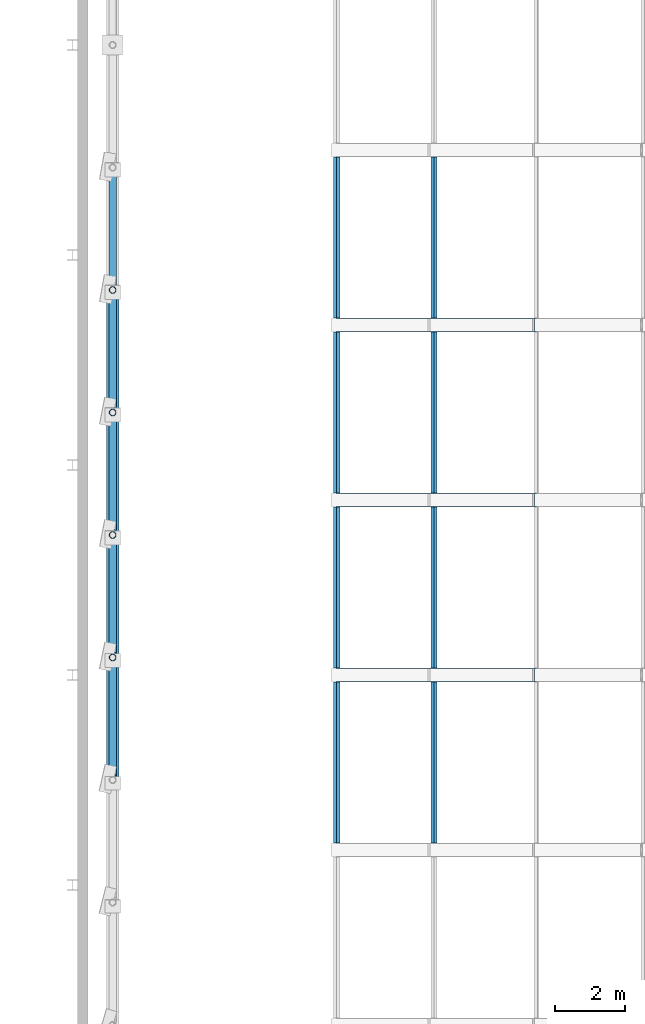
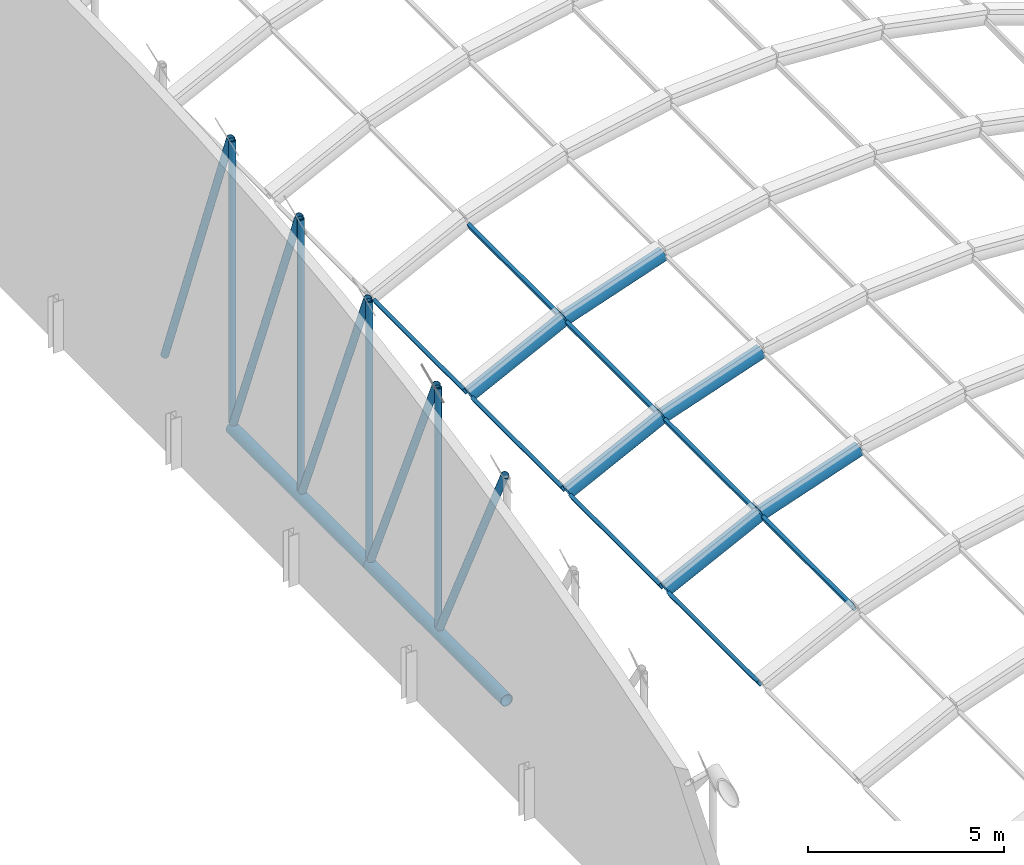
# One storey, part 83 of 196: 25 members.
"""IFC4 building model written with IfcOpenShell, lengths in metres."""

from ifc_helpers import new_model, si_unit, direction, frame, origin, origin_2d, place, context, subcontext, project, spatial, hollow_rectangle, hollow_circle, extrude, material, material_profile, profile_set, type_object, element, save


model = new_model("IFC4")

# Units and contexts
model_context = context("Model", 3, precision=1e-05, world=origin(), true_north=direction((0.0, 1.0)))
body_context = subcontext(model_context, "Body", "Model", "MODEL_VIEW")
ifc_project = project(units=[si_unit("LENGTHUNIT", "METRE"), si_unit("AREAUNIT", "SQUARE_METRE"), si_unit("VOLUMEUNIT", "CUBIC_METRE"), si_unit("PLANEANGLEUNIT", "RADIAN"), si_unit("MASSUNIT", "GRAM", prefix="KILO")], contexts=[model_context])

# Site, building, storey
site_placement = place(None, origin())
site = spatial("IfcSite", under=ifc_project, at=site_placement, CompositionType="ELEMENT")
building_placement = place(site_placement, origin())
building = spatial("IfcBuilding", under=site, at=building_placement, Name="Okhra Congress Centre", CompositionType="ELEMENT")
storey_placement = place(building_placement, frame((0.0, 0.0, 12.0)))
storey = spatial("IfcBuildingStorey", under=building, at=storey_placement, Name="L02", CompositionType="ELEMENT", Elevation=12.0)

# Members
ifc_material_1 = material(Name="Steel S355J2H", Category="steel")
ifc_material_profile_1 = material_profile(ifc_material_1, hollow_circle(Radius=0.096923828125, WallThickness=0.008056640625, at=origin_2d()), Name="CHS 193.7x8.0")
ifc_profile_set_1 = profile_set([ifc_material_profile_1], Name="Steel S355J2H")
member_type_1 = type_object("IfcMemberType", Name="CHS 193.7x8.0", PredefinedType="POST", material=ifc_profile_set_1)
member_1_placement = place(storey_placement, frame((154.0, 156.5, 1.577880859375), z_axis=(0.0, 0.0, 1.0), x_axis=(1.0, 0.0, 0.0)))
element("IfcMember", 1, at=member_1_placement, inside=storey, type_object=member_type_1, Name="EH.MEM.L02.T8-VER-07", PredefinedType="POST", context=body_context, shape_type="SweptSolid", body=[
    extrude(hollow_circle(Radius=0.096923828125, WallThickness=0.008056640625, at=origin_2d()), origin(), (0.0, 0.0, 1.0), 7.448974609375),
])
member_2_placement = place(storey_placement, frame((154.0, 160.0, 1.577880859375), z_axis=(0.0, 0.0, 1.0), x_axis=(1.0, 0.0, 0.0)))
element("IfcMember", 2, at=member_2_placement, inside=storey, type_object=member_type_1, Name="EH.MEM.L02.T8-VER-08", PredefinedType="POST", context=body_context, shape_type="SweptSolid", body=[
    extrude(hollow_circle(Radius=0.096923828125, WallThickness=0.008056640625, at=origin_2d()), origin(), (0.0, 0.0, 1.0), 8.01708984375),
])
member_3_placement = place(storey_placement, frame((154.0, 163.5, 1.577880859375), z_axis=(0.0, 0.0, 1.0), x_axis=(1.0, 0.0, 0.0)))
element("IfcMember", 3, at=member_3_placement, inside=storey, type_object=member_type_1, Name="EH.MEM.L02.T8-VER-09", PredefinedType="POST", context=body_context, shape_type="SweptSolid", body=[
    extrude(hollow_circle(Radius=0.096923828125, WallThickness=0.008056640625, at=origin_2d()), origin(), (0.0, 0.0, 1.0), 8.456787109375),
])
member_4_placement = place(storey_placement, frame((154.0, 167.0, 1.577880859375), z_axis=(0.0, 0.0, 1.0), x_axis=(1.0, 0.0, 0.0)))
element("IfcMember", 4, at=member_4_placement, inside=storey, type_object=member_type_1, Name="EH.MEM.L02.T8-VER-10", PredefinedType="POST", context=body_context, shape_type="SweptSolid", body=[
    extrude(hollow_circle(Radius=0.096923828125, WallThickness=0.008056640625, at=origin_2d()), origin(), (0.0, 0.0, 1.0), 8.76953125),
])
ifc_material_profile_2 = material_profile(ifc_material_1, hollow_circle(Radius=0.109619140625, WallThickness=0.010009765625, at=origin_2d()), Name="CHS 219.1x10.0")
ifc_profile_set_2 = profile_set([ifc_material_profile_2], Name="Steel S355J2H")
member_type_2 = type_object("IfcMemberType", Name="CHS 219.1x10.0", PredefinedType="BRACE", material=ifc_profile_set_2)
member_5_placement = place(storey_placement, frame((154.0, 153.083740234375, 8.365234375), z_axis=(0.0, 0.440367038805, -0.897817838503), x_axis=(-1.0, 0.0, 0.0)))
element("IfcMember", 5, at=member_5_placement, inside=storey, type_object=member_type_2, Name="EH.MEM.L02.T8-DIA-06", PredefinedType="BRACE", context=body_context, shape_type="SweptSolid", body=[
    extrude(hollow_circle(Radius=0.109619140625, WallThickness=0.010009765625, at=origin_2d()), origin(), (0.0, 0.0, 1.0), 7.559814453125),
])
member_6_placement = place(storey_placement, frame((154.0, 156.57763671875, 9.0595703125), z_axis=(0.0, 0.407953800593, -0.913002572057), x_axis=(-1.0, 0.0, 0.0)))
element("IfcMember", 6, at=member_6_placement, inside=storey, type_object=member_type_2, Name="EH.MEM.L02.T8-DIA-07", PredefinedType="BRACE", context=body_context, shape_type="SweptSolid", body=[
    extrude(hollow_circle(Radius=0.109619140625, WallThickness=0.010009765625, at=origin_2d()), origin(), (0.0, 0.0, 1.0), 8.194580078125),
])
member_7_placement = place(storey_placement, frame((154.0, 160.073486328125, 9.6240234375), z_axis=(0.0, 0.384613395842, -0.92307775173), x_axis=(-1.0, 0.0, 0.0)))
element("IfcMember", 7, at=member_7_placement, inside=storey, type_object=member_type_2, Name="EH.MEM.L02.T8-DIA-08", PredefinedType="BRACE", context=body_context, shape_type="SweptSolid", body=[
    extrude(hollow_circle(Radius=0.109619140625, WallThickness=0.010009765625, at=origin_2d()), origin(), (0.0, 0.0, 1.0), 8.716552734375),
])
member_8_placement = place(storey_placement, frame((154.0, 163.570556640625, 10.060546875), z_axis=(0.0, 0.368181952794, -0.929753757528), x_axis=(-1.0, 0.0, 0.0)))
element("IfcMember", 8, at=member_8_placement, inside=storey, type_object=member_type_2, Name="EH.MEM.L02.T8-DIA-09", PredefinedType="BRACE", context=body_context, shape_type="SweptSolid", body=[
    extrude(hollow_circle(Radius=0.109619140625, WallThickness=0.010009765625, at=origin_2d()), origin(), (0.0, 0.0, 1.0), 9.12353515625),
])
member_9_placement = place(storey_placement, frame((154.0, 167.069091796875, 10.37060546875), z_axis=(0.0, 0.357217988255, -0.934021043054), x_axis=(-1.0, 0.0, 0.0)))
element("IfcMember", 9, at=member_9_placement, inside=storey, type_object=member_type_2, Name="EH.MEM.L02.T8-DIA-10", PredefinedType="BRACE", context=body_context, shape_type="SweptSolid", body=[
    extrude(hollow_circle(Radius=0.109619140625, WallThickness=0.010009765625, at=origin_2d()), origin(), (0.0, 0.0, 1.0), 9.413818359375),
])
ifc_material_profile_3 = material_profile(ifc_material_1, hollow_circle(Radius=0.177734375, WallThickness=0.01611328125, at=origin_2d()), Name="CHS 355.6x16.0")
ifc_profile_set_3 = profile_set([ifc_material_profile_3], Name="Steel S355J2H")
member_type_3 = type_object("IfcMemberType", Name="CHS 355.6x16.0", PredefinedType="CHORD", material=ifc_profile_set_3)
member_10_placement = place(storey_placement, frame((154.0, 153.0, 1.39990234375), z_axis=(0.0, 1.0, 0.0), x_axis=(-1.0, 0.0, 0.0)))
element("IfcMember", 10, at=member_10_placement, inside=storey, type_object=member_type_3, Name="EH.MEM.L02.T8-BOT-04", PredefinedType="CHORD", context=body_context, shape_type="SweptSolid", body=[
    extrude(hollow_circle(Radius=0.177734375, WallThickness=0.01611328125, at=origin_2d()), origin(), (0.0, 0.0, 1.0), 7.0),
])
ifc_material_profile_4 = material_profile(ifc_material_1, hollow_circle(Radius=0.177734375, WallThickness=0.02001953125, at=origin_2d()), Name="CHS 355.6x20.0")
ifc_profile_set_4 = profile_set([ifc_material_profile_4], Name="Steel S355J2H")
member_type_4 = type_object("IfcMemberType", Name="CHS 355.6x20.0", PredefinedType="CHORD", material=ifc_profile_set_4)
member_11_placement = place(storey_placement, frame((154.0, 160.0, 1.39990234375), z_axis=(0.0, 1.0, 0.0), x_axis=(-1.0, 0.0, 0.0)))
element("IfcMember", 11, at=member_11_placement, inside=storey, type_object=member_type_4, Name="EH.MEM.L02.T8-BOT-05", PredefinedType="CHORD", context=body_context, shape_type="SweptSolid", body=[
    extrude(hollow_circle(Radius=0.177734375, WallThickness=0.02001953125, at=origin_2d()), origin(), (0.0, 0.0, 1.0), 7.0),
])
ifc_material_2 = material(Name="Steel S355J2", Category="steel")
ifc_material_profile_5 = material_profile(ifc_material_2, hollow_rectangle(XDim=0.10009765625, YDim=0.199951171875, WallThickness=0.008056640625, at=origin_2d()), Name="RHS 200x100x8")
ifc_profile_set_5 = profile_set([ifc_material_profile_5], Name="Steel S355J2")
member_type_5 = type_object("IfcMemberType", Name="Steel purlin RHS 200x100x8", PredefinedType="PURLIN", material=ifc_profile_set_5)
for number, where, z_axis, x_axis, name in (
    (12, (160.406982421875, 151.203125, 0.77490234375), (0.0, 1.0, 0.0), (-0.86391685861, 0.0, -0.503634452167), "Vault purlin 16.2"),
    (13, (163.1826171875, 151.203125, 2.156494140625), (0.0, 1.0, 0.0), (-0.922668973833, 0.0, -0.38559300399), "Vault purlin 16.3"),
    (14, (160.406982421875, 156.203125, 0.77490234375), (0.0, 1.0, 0.0), (-0.86391685861, 0.0, -0.503634452167), "Vault purlin 17.2"),
    (15, (163.1826171875, 156.203125, 2.156494140625), (0.0, 1.0, 0.0), (-0.922668973833, 0.0, -0.38559300399), "Vault purlin 17.3"),
    (16, (160.406982421875, 161.203125, 0.77490234375), (0.0, 1.0, 0.0), (-0.86391685861, 0.0, -0.503634452167), "Vault purlin 18.2"),
    (17, (163.1826171875, 161.203125, 2.156494140625), (0.0, 1.0, 0.0), (-0.922668973833, 0.0, -0.38559300399), "Vault purlin 18.3"),
    (18, (160.406982421875, 166.203125, 0.77490234375), (0.0, 1.0, 0.0), (-0.86391685861, 0.0, -0.503634452167), "Vault purlin 19.2"),
    (19, (163.1826171875, 166.203125, 2.156494140625), (0.0, 1.0, 0.0), (-0.922668973833, 0.0, -0.38559300399), "Vault purlin 19.3"),
):
    element("IfcMember", number, at=place(storey_placement, frame(where, z_axis=z_axis, x_axis=x_axis)), inside=storey, type_object=member_type_5, Name=name, PredefinedType="PURLIN", context=body_context, shape_type="SweptSolid", body=[
        extrude(hollow_rectangle(XDim=0.10009765625, YDim=0.199951171875, WallThickness=0.008056640625, at=origin_2d()), origin(), (0.0, 0.0, 1.0), 4.59375),
    ])
ifc_material_profile_6 = material_profile(ifc_material_2, hollow_circle(Radius=0.203125, WallThickness=0.01611328125, at=origin_2d()), Name="CHS 406.4x16")
ifc_profile_set_6 = profile_set([ifc_material_profile_6], Name="Steel S355J2")
member_type_6 = type_object("IfcMemberType", Name="Tubular steel arch rib CHS 406x16", PredefinedType="USERDEFINED", material=ifc_profile_set_6)
for number, where, z_axis, x_axis, name in (
    (20, (160.406494140625, 156.0, 0.802490234375), (0.895219276519, 0.0, 0.44562590471), (0.0, 1.0, 0.0), "Arch rib 17.3"),
    (21, (163.185791015625, 156.0, 2.18408203125), (0.946089135599, 0.0, 0.323906386942), (0.0, 1.0, 0.0), "Arch rib 17.4"),
    (22, (160.406494140625, 161.0, 0.802490234375), (0.895219276519, 0.0, 0.44562590471), (0.0, 1.0, 0.0), "Arch rib 18.3"),
    (23, (163.185791015625, 161.0, 2.18408203125), (0.946089135599, 0.0, 0.323906386942), (0.0, 1.0, 0.0), "Arch rib 18.4"),
    (24, (160.406494140625, 166.0, 0.802490234375), (0.895219276519, 0.0, 0.44562590471), (0.0, 1.0, 0.0), "Arch rib 19.3"),
    (25, (163.185791015625, 166.0, 2.18408203125), (0.946089135599, 0.0, 0.323906386942), (0.0, 1.0, 0.0), "Arch rib 19.4"),
):
    element("IfcMember", number, at=place(storey_placement, frame(where, z_axis=z_axis, x_axis=x_axis)), inside=storey, type_object=member_type_6, Name=name, ObjectType="Arch rib", PredefinedType="USERDEFINED", context=body_context, shape_type="SweptSolid", body=[
        extrude(hollow_circle(Radius=0.203125, WallThickness=0.01611328125, at=origin_2d()), origin(), (0.0, 0.0, 1.0), 3.07666015625),
    ])

save(model, "model.ifc")
